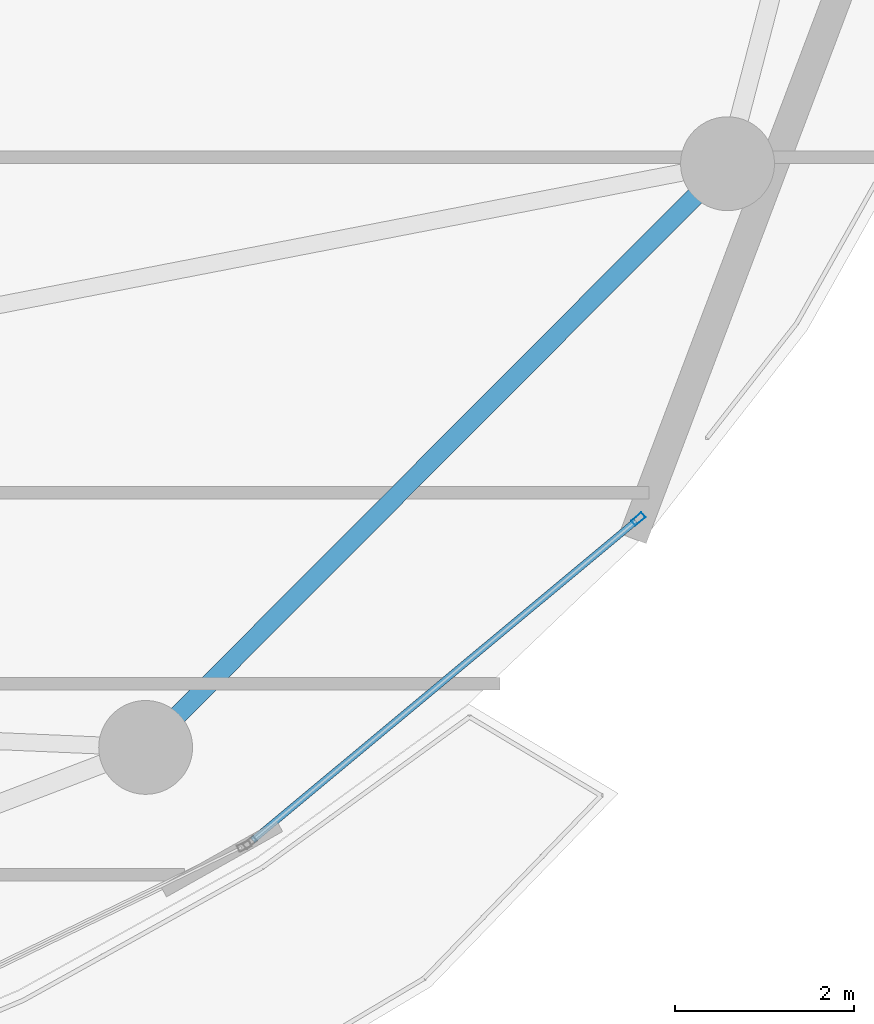
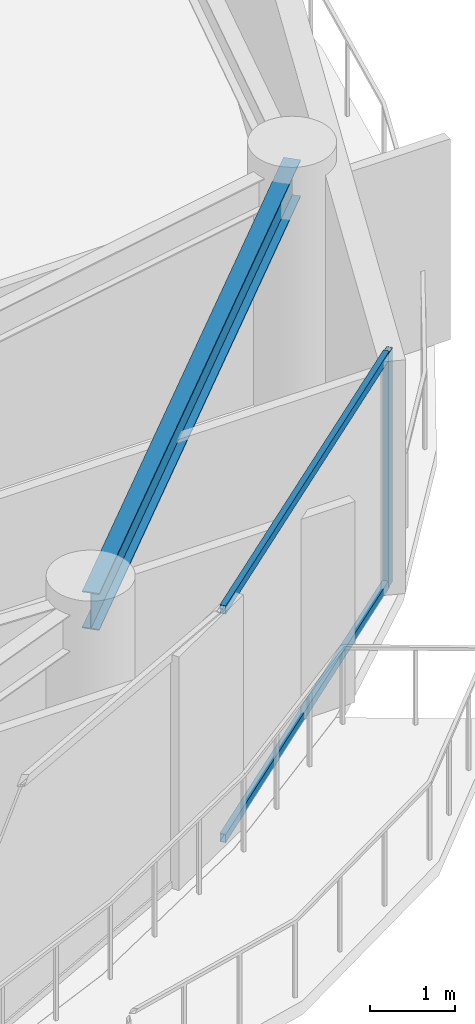
# One storey, part 14 of 31: 3 members, 1 beam, 1 element without a shape of its own.
"""IFC4 building model written with IfcOpenShell, lengths in metres."""

from ifc_helpers import new_model, si_unit, direction, frame, origin, origin_2d, place, context, subcontext, project, spatial, hollow_rectangle, i_section, extrude, material, layer, layer_set, material_profile, profile_set, type_object, element, aggregate, save


model = new_model("IFC4")

# Units and contexts
model_context = context("Model", 3, precision=1e-05, world=origin(), true_north=direction((0.0, 1.0)))
body_context = subcontext(model_context, "Body", "Model", "MODEL_VIEW")
ifc_project = project(units=[si_unit("LENGTHUNIT", "METRE"), si_unit("AREAUNIT", "SQUARE_METRE"), si_unit("VOLUMEUNIT", "CUBIC_METRE"), si_unit("PLANEANGLEUNIT", "RADIAN"), si_unit("MASSUNIT", "GRAM", prefix="KILO")], contexts=[model_context])

# Site, building, storey
site_placement = place(None, origin())
site = spatial("IfcSite", under=ifc_project, at=site_placement, CompositionType="ELEMENT")
building_placement = place(site_placement, origin())
building = spatial("IfcBuilding", under=site, at=building_placement, Name="Kazevale Care Tower and Concert Hall", CompositionType="ELEMENT")
storey_placement = place(building_placement, frame((0.0, 0.0, 202.800048828125)))
storey = spatial("IfcBuildingStorey", under=building, at=storey_placement, Name="L53", CompositionType="ELEMENT", Elevation=202.800048828125)

# Curtain wall, members
ifc_material_1 = material(Name="Aluminium 6063-T6 and Low-E Glass", Category="aluminium")
ifc_layer = layer(ifc_material_1, 0.179931640625)
ifc_layer_set = layer_set([ifc_layer], Name="Aluminium 6063-T6 and Low-E Glass")
curtain_wall_type = type_object("IfcCurtainWallType", Name="Sheltered Concave Balcony Curtain Wall CW-5", PredefinedType="NOTDEFINED", material=ifc_layer_set)
curtain_wall_placement = place(storey_placement, origin())
curtain_wall = element("IfcCurtainWall", 1, at=curtain_wall_placement, inside=storey, type_object=curtain_wall_type, Name="cw:L53:f02", PredefinedType="NOTDEFINED")
ifc_material_2 = material(Name="Aluminium 6063-T6", Category="aluminium")
ifc_material_profile_1 = material_profile(ifc_material_2, hollow_rectangle(XDim=0.074951171875, YDim=0.14990234375, WallThickness=0.00390625, at=origin_2d()), Name="ALU75x150x4")
ifc_profile_set_1 = profile_set([ifc_material_profile_1], Name="Aluminium 6063-T6")
member_type_1 = type_object("IfcMemberType", Name="CW-5 Mullion ALU75x150x4", PredefinedType="MULLION", material=ifc_profile_set_1)
member_1_placement = place(storey_placement, frame((71.76318359375, 25.2060546875, 0.0), z_axis=(0.0, 0.0, 1.0), x_axis=(0.639961217204, -0.768407210062, 0.0)))
member_1 = element("IfcMember", 2, at=member_1_placement, type_object=member_type_1, Name="CW-5 mullion 1", PredefinedType="MULLION", context=body_context, shape_type="SweptSolid", body=[
    extrude(hollow_rectangle(XDim=0.074951171875, YDim=0.14990234375, WallThickness=0.00390625, at=origin_2d()), origin(), (0.0, 0.0, 1.0), 3.35986328125),
])
ifc_material_profile_2 = material_profile(ifc_material_2, hollow_rectangle(XDim=0.074951171875, YDim=0.1201171875, WallThickness=0.00390625, at=origin_2d()), Name="ALU75x120x4")
ifc_profile_set_2 = profile_set([ifc_material_profile_2], Name="Aluminium 6063-T6")
member_type_2 = type_object("IfcMemberType", Name="CW-5 Transom ALU75x120x4", PredefinedType="USERDEFINED", material=ifc_profile_set_2)
member_2_placement = place(storey_placement, frame((71.734375, 25.181884765625, 0.037353515625), z_axis=(-0.768432829708, -0.639930454211, 0.0), x_axis=(0.639930454211, -0.768432829708, 0.0)))
member_2 = element("IfcMember", 3, at=member_2_placement, type_object=member_type_2, Name="CW-5 transom 1.1", ObjectType="TRANSOM", PredefinedType="USERDEFINED", context=body_context, shape_type="SweptSolid", body=[
    extrude(hollow_rectangle(XDim=0.074951171875, YDim=0.1201171875, WallThickness=0.00390625, at=origin_2d()), origin(), (0.0, 0.0, 1.0), 5.580078125),
])
member_3_placement = place(storey_placement, frame((71.734375, 25.181884765625, 3.322509765625), z_axis=(-0.768432829708, -0.639930454211, 0.0), x_axis=(0.639930454211, -0.768432829708, 0.0)))
member_3 = element("IfcMember", 4, at=member_3_placement, type_object=member_type_2, Name="CW-5 transom 1.2", ObjectType="TRANSOM", PredefinedType="USERDEFINED", context=body_context, shape_type="SweptSolid", body=[
    extrude(hollow_rectangle(XDim=0.074951171875, YDim=0.1201171875, WallThickness=0.00390625, at=origin_2d()), origin(), (0.0, 0.0, 1.0), 5.580078125),
])
aggregate(curtain_wall, [member_1, member_2, member_3])

# Beam
ifc_material_3 = material(Name="Steel ASTM A572 Gr 50", Category="steel")
ifc_material_profile_3 = material_profile(ifc_material_3, i_section(OverallWidth=0.208984375, OverallDepth=0.532958984375, WebThickness=0.01025390625, FlangeThickness=0.015625, at=origin_2d()), Name="W530x92")
ifc_profile_set_3 = profile_set([ifc_material_profile_3], Name="Steel ASTM A572 Gr 50")
beam_type = type_object("IfcBeamType", Name="Upper Ring Beam W530x92", PredefinedType="BEAM", material=ifc_profile_set_3)
beam_placement = place(storey_placement, frame((66.25, 22.64990234375, 3.093505859375), z_axis=(0.706020373708, 0.708191522054, 0.0), x_axis=(-0.708191522054, 0.706020373708, 0.0)))
element("IfcBeam", 5, at=beam_placement, inside=storey, type_object=beam_type, Name="beam:L53:ring:15", PredefinedType="BEAM", context=body_context, shape_type="SweptSolid", body=[
    extrude(i_section(OverallWidth=0.208984375, OverallDepth=0.532958984375, WebThickness=0.01025390625, FlangeThickness=0.015625, at=origin_2d()), origin(), (0.0, 0.0, 1.0), 9.220703125),
])

save(model, "model.ifc")
